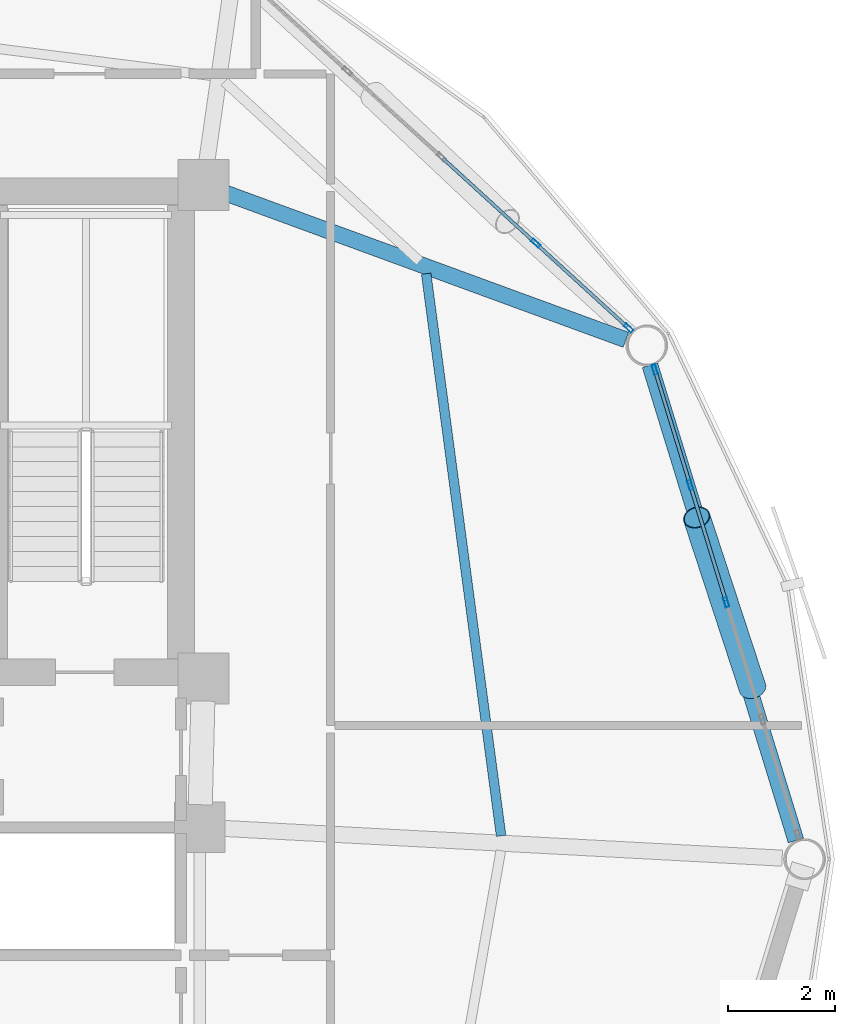
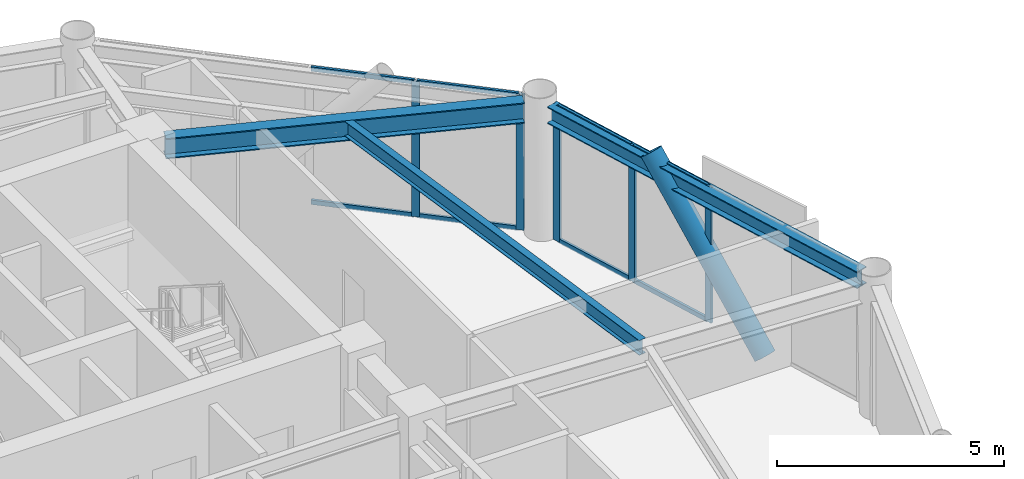
# One storey, part 14 of 25: 14 members, 3 beams, 2 elements without a shape of their own.
"""IFC4 building model written with IfcOpenShell, lengths in metres."""

import ifcopenshell
import ifcopenshell.guid

model = None  # the IFC model being written
_history = None  # IfcOwnerHistory: only IFC2X3 demands one
_inside = {}  # id of a spatial element -> (the spatial element, [elements in it])
_under = {}  # id of a project, library or spatial element -> (it, [spatial elements below it])
_declared = {}  # id of a project -> (the project, [libraries it declares])
_typed = {}  # id of a type object -> (the type object, [elements of that type])
_made_of = {}  # id of a material, layer set ... -> (it, [elements and type objects made of it])


def new_model(schema):
    """Start an empty IFC model of exactly this schema.

    Asked for "IFC4X3", IfcOpenShell would pick the latest addendum, in which some entities
    have other attributes; the version numbers below select the first issue.
    IFC2X3 requires an IfcOwnerHistory on every rooted entity: one is made here for all.
    """
    global model, _history
    if schema == "IFC4X3":
        model = ifcopenshell.file(schema_version=(4, 3, 0, 0))
    else:
        model = ifcopenshell.file(schema=schema)
    _inside.clear()
    _under.clear()
    _declared.clear()
    _typed.clear()
    _made_of.clear()
    _history = None
    if model.schema == "IFC2X3":
        org = make("IfcOrganization", Name="unknown")
        user = make(
            "IfcPersonAndOrganization",
            ThePerson=make("IfcPerson", FamilyName="unknown"),
            TheOrganization=org,
        )
        app = make(
            "IfcApplication",
            ApplicationDeveloper=org,
            Version="unknown",
            ApplicationFullName="unknown",
            ApplicationIdentifier="unknown",
        )
        _history = make(
            "IfcOwnerHistory",
            OwningUser=user,
            OwningApplication=app,
            ChangeAction="ADDED",
            CreationDate=0,
        )
    return model


def make(cls, **values):
    """One entity of the class cls with the attributes given. An attribute that is None is left unset."""
    return model.create_entity(
        cls, **{name: value for name, value in values.items() if value is not None}
    )


def rooted(cls, **values):
    """An entity with a GlobalId (a new one), such as an element, a storey or a relation."""
    return make(cls, GlobalId=ifcopenshell.guid.new(), OwnerHistory=_history, **values)


def si_unit(unit_type, name, prefix=None):
    """IfcSIUnit, for example si_unit("LENGTHUNIT", "METRE", prefix="MILLI")."""
    return make("IfcSIUnit", UnitType=unit_type, Prefix=prefix, Name=name)


def assignment(units):
    """IfcUnitAssignment: the units of a project."""
    return None if units is None else make("IfcUnitAssignment", Units=units)


def point(xyz):
    """IfcCartesianPoint."""
    return None if xyz is None else make("IfcCartesianPoint", Coordinates=xyz)


def direction(xyz):
    """IfcDirection."""
    return None if xyz is None else make("IfcDirection", DirectionRatios=xyz)


def frame(location, z_axis=None, x_axis=None):
    """IfcAxis2Placement3D, a coordinate frame: its origin and axes. An axis left out is left unset."""
    return make(
        "IfcAxis2Placement3D",
        Location=point(location),
        Axis=direction(z_axis),
        RefDirection=direction(x_axis),
    )


def frame_2d(location, x_axis=None):
    """IfcAxis2Placement2D, a coordinate frame in the plane: its origin and x axis."""
    return make(
        "IfcAxis2Placement2D", Location=point(location), RefDirection=direction(x_axis)
    )


def origin():
    """The frame at (0, 0, 0) with its axes left unset."""
    return frame((0.0, 0.0, 0.0))


def origin_2d():
    """The frame at (0, 0) in the plane with its x axis left unset."""
    return frame_2d((0.0, 0.0))


def place(relative_to, where):
    """IfcLocalPlacement: puts the frame where relative to a parent placement (None: the world)."""
    return make(
        "IfcLocalPlacement", PlacementRelTo=relative_to, RelativePlacement=where
    )


def context(
    kind, dimensions, precision=None, world=None, true_north=None, identifier=None
):
    """IfcGeometricRepresentationContext, for example the 3D "Model" context."""
    return make(
        "IfcGeometricRepresentationContext",
        ContextIdentifier=identifier,
        ContextType=kind,
        CoordinateSpaceDimension=dimensions,
        Precision=precision,
        WorldCoordinateSystem=world,
        TrueNorth=true_north,
    )


def subcontext(parent, identifier, kind, view, scale=None):
    """IfcGeometricRepresentationSubContext, for example "Body" below "Model"."""
    return make(
        "IfcGeometricRepresentationSubContext",
        ContextIdentifier=identifier,
        ContextType=kind,
        ParentContext=parent,
        TargetScale=scale,
        TargetView=view,
    )


def project(units=None, contexts=None):
    """IfcProject with its units and contexts."""
    return rooted(
        "IfcProject",
        Name="project",
        RepresentationContexts=contexts,
        UnitsInContext=assignment(units),
    )


def spatial(cls, under=None, at=None, **own):
    """A site, building, storey or space (cls), placed at a placement, below another one or the project."""
    s = rooted(cls, ObjectPlacement=at, **own)
    if under is not None:
        _under.setdefault(under.id(), (under, []))[1].append(s)
    return s


def profile(cls, at=None, kind="AREA", **sizes):
    """A parametric profile (cls). Its sizes go by their IFC names, for example OverallWidth=200.0."""
    return make(cls, ProfileType=kind, Position=at, **sizes)


def hollow_rectangle(**sizes):
    """IfcRectangleHollowProfileDef."""
    return profile("IfcRectangleHollowProfileDef", **sizes)


def hollow_circle(**sizes):
    """IfcCircleHollowProfileDef."""
    return profile("IfcCircleHollowProfileDef", **sizes)


def i_section(**sizes):
    """IfcIShapeProfileDef."""
    return profile("IfcIShapeProfileDef", **sizes)


def extrude(swept, where, along, depth):
    """IfcExtrudedAreaSolid: the profile swept, set in the frame where, extruded along a direction by depth."""
    return make(
        "IfcExtrudedAreaSolid",
        SweptArea=swept,
        Position=where,
        ExtrudedDirection=direction(along),
        Depth=depth,
    )


def shape(context_of_items, identifier, shape_type, items):
    """IfcShapeRepresentation: the items that make up one representation, for example the "Body"."""
    return make(
        "IfcShapeRepresentation",
        ContextOfItems=context_of_items,
        RepresentationIdentifier=identifier,
        RepresentationType=shape_type,
        Items=items,
    )


def material(Name=None, Category=None):
    """IfcMaterial."""
    return make("IfcMaterial", Name=Name, Category=Category)


def layer(
    of_material, thickness, ventilated=None, Name=None, Category=None, Priority=None
):
    """IfcMaterialLayer: one layer of a wall or slab, of a material (None: an air gap)."""
    return make(
        "IfcMaterialLayer",
        Material=of_material,
        LayerThickness=thickness,
        IsVentilated=ventilated,
        Name=Name,
        Category=Category,
        Priority=Priority,
    )


def layer_set(layers, Name=None):
    """IfcMaterialLayerSet."""
    return make("IfcMaterialLayerSet", MaterialLayers=layers, LayerSetName=Name)


def material_profile(
    of_material, cross_section, Name=None, Category=None, Priority=None
):
    """IfcMaterialProfile: a cross section and its material."""
    return make(
        "IfcMaterialProfile",
        Name=Name,
        Material=of_material,
        Profile=cross_section,
        Priority=Priority,
        Category=Category,
    )


def profile_set(profiles, Name=None, composite=None):
    """IfcMaterialProfileSet."""
    return make(
        "IfcMaterialProfileSet",
        Name=Name,
        MaterialProfiles=profiles,
        CompositeProfile=composite,
    )


def made_of(thing, what):
    """Note that an element or type object is made of a material, layer set ...; save() writes the relation."""
    if what is not None:
        _made_of.setdefault(what.id(), (what, []))[1].append(thing)
    return thing


def type_object(cls, material=None, **own):
    """A type object (cls), such as IfcWallType, which elements share."""
    return made_of(rooted(cls, **own), material)


def element(
    cls,
    number,
    at=None,
    inside=None,
    cuts=None,
    type_object=None,
    material=None,
    context=None,
    identifier="Body",
    shape_type=None,
    held_by="IfcProductDefinitionShape",
    body=None,
    shapes=None,
    **own,
):
    """One element of the class cls, such as IfcWall. Its Tag is "e" and its number.

    at: its placement. inside: the storey or other place that contains it. cuts: it is an
    opening in that element (IfcRelVoidsElement). A single representation is given by context,
    identifier, shape_type and body (its items); several are given by shapes. held_by: the class
    of the entity that holds the representations. save() writes the other relations.
    """
    e = rooted(cls, Tag="e%d" % number, ObjectPlacement=at, **own)
    if body is not None:
        shapes = [shape(context, identifier, shape_type, body)]
    if shapes is not None:
        e.Representation = make(held_by, Representations=shapes)
    if inside is not None:
        _inside.setdefault(inside.id(), (inside, []))[1].append(e)
    if cuts is not None:
        rooted(
            "IfcRelVoidsElement", RelatingBuildingElement=cuts, RelatedOpeningElement=e
        )
    if type_object is not None:
        _typed.setdefault(type_object.id(), (type_object, []))[1].append(e)
    return made_of(e, material)


def aggregate(whole, parts):
    """IfcRelAggregates: a whole, such as a stair, and the parts it consists of."""
    return rooted("IfcRelAggregates", RelatingObject=whole, RelatedObjects=parts)


def save(model, path):
    """Write the relations noted so far, then the file.

    IfcRelAggregates (storeys below a building ...), IfcRelContainedInSpatialStructure (elements
    in a storey), IfcRelDefinesByType, IfcRelAssociatesMaterial and IfcRelDeclares: one each for
    every whole, place, type object, material and project.
    """
    for whole, parts in _under.values():
        aggregate(whole, parts)
    for where, things in _inside.values():
        rooted(
            "IfcRelContainedInSpatialStructure",
            RelatedElements=things,
            RelatingStructure=where,
        )
    for kind, things in _typed.values():
        rooted("IfcRelDefinesByType", RelatedObjects=things, RelatingType=kind)
    for what, things in _made_of.values():
        rooted("IfcRelAssociatesMaterial", RelatedObjects=things, RelatingMaterial=what)
    for by, libraries in _declared.values():
        rooted("IfcRelDeclares", RelatingContext=by, RelatedDefinitions=libraries)
    model.write(path)


model = new_model("IFC4")

# Units and contexts
model_context = context("Model", 3, precision=1e-05, world=origin(), true_north=direction((0.0, 1.0)))
body_context = subcontext(model_context, "Body", "Model", "MODEL_VIEW")
ifc_project = project(units=[si_unit("LENGTHUNIT", "METRE"), si_unit("AREAUNIT", "SQUARE_METRE"), si_unit("VOLUMEUNIT", "CUBIC_METRE"), si_unit("PLANEANGLEUNIT", "RADIAN"), si_unit("MASSUNIT", "GRAM", prefix="KILO")], contexts=[model_context])

# Site, building, storey
site_placement = place(None, origin())
site = spatial("IfcSite", under=ifc_project, at=site_placement, CompositionType="ELEMENT")
building_placement = place(site_placement, origin())
building = spatial("IfcBuilding", under=site, at=building_placement, Name="Varnakorn Sky Granary", CompositionType="ELEMENT")
storey_placement = place(building_placement, frame((0.0, 0.0, 126.60009765625)))
storey = spatial("IfcBuildingStorey", under=building, at=storey_placement, Name="L31", CompositionType="ELEMENT", Elevation=126.60009765625)

# Beams
ifc_material_1 = material(Name="Steel S355JR", Category="steel")
ifc_material_profile_1 = material_profile(ifc_material_1, i_section(OverallWidth=0.300048828125, OverallDepth=0.550048828125, WebThickness=0.014892578125, FlangeThickness=0.029052734375, at=origin_2d()), Name="HE 550 B")
ifc_profile_set_1 = profile_set([ifc_material_profile_1], Name="Steel S355JR")
beam_type_1 = type_object("IfcBeamType", Name="BM-RAD-Z3", PredefinedType="BEAM", material=ifc_profile_set_1)
beam_1_placement = place(storey_placement, frame((8.814208984375, 12.475341796875, 3.364990234375), z_axis=(0.938913782901, -0.344152449182, 0.0), x_axis=(0.344152449182, 0.938913782901, 0.0)))
element("IfcBeam", 1, at=beam_1_placement, inside=storey, type_object=beam_type_1, Name="Radial Floor Girder RG02 L31", PredefinedType="BEAM", context=body_context, shape_type="SweptSolid", body=[
    extrude(i_section(OverallWidth=0.300048828125, OverallDepth=0.550048828125, WebThickness=0.014892578125, FlangeThickness=0.029052734375, at=origin_2d()), origin(), (0.0, 0.0, 1.0), 8.001953125),
])
ifc_material_profile_2 = material_profile(ifc_material_1, i_section(OverallWidth=0.179931640625, OverallDepth=0.39990234375, WebThickness=0.008544921875, FlangeThickness=0.013427734375, at=origin_2d()), Name="IPE 400")
ifc_profile_set_2 = profile_set([ifc_material_profile_2], Name="Steel S355JR")
beam_type_2 = type_object("IfcBeamType", Name="BM-SEC-Z3", PredefinedType="BEAM", material=ifc_profile_set_2)
beam_2_placement = place(storey_placement, frame((13.991943359375, 0.4375, 3.43994140625), z_axis=(-0.13212907091, 0.991232519957, 0.0), x_axis=(-0.991232519957, -0.13212907091, 0.0)))
element("IfcBeam", 2, at=beam_2_placement, inside=storey, type_object=beam_type_2, Name="Secondary Floor Chord Beam MSB01 L31", PredefinedType="BEAM", context=body_context, shape_type="SweptSolid", body=[
    extrude(i_section(OverallWidth=0.179931640625, OverallDepth=0.39990234375, WebThickness=0.008544921875, FlangeThickness=0.013427734375, at=origin_2d()), origin(), (0.0, 0.0, 1.0), 10.615234375),
])
ifc_material_profile_3 = material_profile(ifc_material_1, i_section(OverallWidth=0.300048828125, OverallDepth=0.449951171875, WebThickness=0.013916015625, FlangeThickness=0.02587890625, at=origin_2d()), Name="HE 450 B")
ifc_profile_set_3 = profile_set([ifc_material_profile_3], Name="Steel S355JR")
beam_type_3 = type_object("IfcBeamType", Name="BM-SPD-Z3", PredefinedType="SPANDREL", material=ifc_profile_set_3)
beam_3_placement = place(storey_placement, frame((19.509521484375, 0.349853515625, 3.414794921875), z_axis=(-0.293501370749, 0.955958652541, 0.0), x_axis=(-0.955958652541, -0.293501370749, 0.0)))
element("IfcBeam", 3, at=beam_3_placement, inside=storey, type_object=beam_type_3, Name="Perimeter Spandrel Ring Beam RB01 L31", PredefinedType="SPANDREL", context=body_context, shape_type="SweptSolid", body=[
    extrude(i_section(OverallWidth=0.300048828125, OverallDepth=0.449951171875, WebThickness=0.013916015625, FlangeThickness=0.02587890625, at=origin_2d()), origin(), (0.0, 0.0, 1.0), 9.3056640625),
])

# Curtain wall, members
ifc_material_2 = material(Name="Anodised Bronze Aluminium Alloy 6063-T6", Category="aluminium")
ifc_layer = layer(ifc_material_2, 0.179931640625, Name="Anodised Bronze Aluminium Alloy 6063-T6")
ifc_layer_set = layer_set([ifc_layer], Name="Anodised Bronze Aluminium Alloy 6063-T6")
curtain_wall_type = type_object("IfcCurtainWallType", Name="CW-FRM-2", PredefinedType="USERDEFINED", material=ifc_layer_set)
curtain_wall_1_placement = place(storey_placement, origin())
curtain_wall_1 = element("IfcCurtainWall", 4, at=curtain_wall_1_placement, inside=storey, type_object=curtain_wall_type, Name="Unitised Curtain Wall CW4 CW-L31-B01", ObjectType="CURTAIN WALL", PredefinedType="USERDEFINED")
ifc_material_profile_4 = material_profile(ifc_material_2, hollow_rectangle(XDim=0.070068359375, YDim=0.18505859375, WallThickness=0.00390625, at=origin_2d()), Name="ALU MULL 70x185")
ifc_profile_set_4 = profile_set([ifc_material_profile_4], Name="Anodised Bronze Aluminium Alloy 6063-T6")
member_type_1 = type_object("IfcMemberType", Name="CW-FRM-2-MULL", PredefinedType="MULLION", material=ifc_profile_set_4)
member_1_placement = place(storey_placement, frame((16.867919921875, 9.16455078125, 0.0), z_axis=(0.0, 0.0, 1.0), x_axis=(0.955916673226, 0.293638066074, 0.0)))
member_1 = element("IfcMember", 5, at=member_1_placement, type_object=member_type_1, Name="CW4 mullion 1", PredefinedType="MULLION", context=body_context, shape_type="SweptSolid", body=[
    extrude(hollow_rectangle(XDim=0.070068359375, YDim=0.18505859375, WallThickness=0.00390625, at=origin_2d()), origin(), (0.0, 0.0, 1.0), 3.639892578125),
])
member_2_placement = place(storey_placement, frame((17.531494140625, 7.00390625, 0.0), z_axis=(0.0, 0.0, 1.0), x_axis=(0.955916673226, 0.293638066074, 0.0)))
member_2 = element("IfcMember", 6, at=member_2_placement, type_object=member_type_1, Name="CW4 mullion 2", PredefinedType="MULLION", context=body_context, shape_type="SweptSolid", body=[
    extrude(hollow_rectangle(XDim=0.070068359375, YDim=0.18505859375, WallThickness=0.00390625, at=origin_2d()), origin(), (0.0, 0.0, 1.0), 3.639892578125),
])
member_3_placement = place(storey_placement, frame((18.20556640625, 4.809814453125, 0.0), z_axis=(0.0, 0.0, 1.0), x_axis=(0.955916673226, 0.293638066074, 0.0)))
member_3 = element("IfcMember", 7, at=member_3_placement, type_object=member_type_1, Name="CW4 mullion 3", PredefinedType="MULLION", context=body_context, shape_type="SweptSolid", body=[
    extrude(hollow_rectangle(XDim=0.070068359375, YDim=0.18505859375, WallThickness=0.00390625, at=origin_2d()), origin(), (0.0, 0.0, 1.0), 3.639892578125),
])

curtain_wall_2_placement = place(storey_placement, origin())
curtain_wall_2 = element("IfcCurtainWall", 8, at=curtain_wall_2_placement, inside=storey, type_object=curtain_wall_type, Name="Unitised Curtain Wall CW4 CW-L31-B02", ObjectType="CURTAIN WALL", PredefinedType="USERDEFINED")
member_4_placement = place(storey_placement, frame((14.639404296875, 11.52880859375, 0.0), z_axis=(0.0, 0.0, 1.0), x_axis=(0.674680923597, 0.738109511749, 0.0)))
member_4 = element("IfcMember", 9, at=member_4_placement, type_object=member_type_1, Name="CW4 mullion 4", PredefinedType="MULLION", context=body_context, shape_type="SweptSolid", body=[
    extrude(hollow_rectangle(XDim=0.070068359375, YDim=0.18505859375, WallThickness=0.00390625, at=origin_2d()), origin(), (0.0, 0.0, 1.0), 3.639892578125),
])
member_5_placement = place(storey_placement, frame((16.376708984375, 9.940673828125, 0.0), z_axis=(0.0, 0.0, 1.0), x_axis=(0.674680923597, 0.738109511749, 0.0)))
member_5 = element("IfcMember", 10, at=member_5_placement, type_object=member_type_1, Name="CW4 mullion 5", PredefinedType="MULLION", context=body_context, shape_type="SweptSolid", body=[
    extrude(hollow_rectangle(XDim=0.070068359375, YDim=0.18505859375, WallThickness=0.00390625, at=origin_2d()), origin(), (0.0, 0.0, 1.0), 3.639892578125),
])

# Member
ifc_material_profile_5 = material_profile(ifc_material_2, hollow_rectangle(XDim=0.06494140625, YDim=0.1201171875, WallThickness=0.00341796875, at=origin_2d()), Name="ALU TRAN 65x120")
ifc_profile_set_5 = profile_set([ifc_material_profile_5], Name="Anodised Bronze Aluminium Alloy 6063-T6")
member_type_2 = type_object("IfcMemberType", Name="CW-FRM-2-TRAN", PredefinedType="USERDEFINED", material=ifc_profile_set_5)
member_6_placement = place(storey_placement, frame((16.878173828125, 9.131103515625, 0.032470703125), z_axis=(0.293600182714, -0.955928309399, 0.0), x_axis=(0.955928309399, 0.293600182714, 0.0)))
member_6 = element("IfcMember", 11, at=member_6_placement, type_object=member_type_2, Name="CW4 transom 1.1", ObjectType="TRANSOM", PredefinedType="USERDEFINED", context=body_context, shape_type="SweptSolid", body=[
    extrude(hollow_rectangle(XDim=0.06494140625, YDim=0.1201171875, WallThickness=0.00341796875, at=origin_2d()), origin(), (0.0, 0.0, 1.0), 2.190185546875),
])

member_7_placement = place(storey_placement, frame((16.878173828125, 9.131103515625, 3.607421875), z_axis=(0.293600182714, -0.955928309399, 0.0), x_axis=(0.955928309399, 0.293600182714, 0.0)))
member_7 = element("IfcMember", 12, at=member_7_placement, type_object=member_type_2, Name="CW4 transom 1.2", ObjectType="TRANSOM", PredefinedType="USERDEFINED", context=body_context, shape_type="SweptSolid", body=[
    extrude(hollow_rectangle(XDim=0.06494140625, YDim=0.1201171875, WallThickness=0.00341796875, at=origin_2d()), origin(), (0.0, 0.0, 1.0), 2.190185546875),
])

member_8_placement = place(storey_placement, frame((17.541748046875, 6.970458984375, 0.032470703125), z_axis=(0.293692648403, -0.955899904945, 0.0), x_axis=(0.955899904945, 0.293692648403, 0.0)))
member_8 = element("IfcMember", 13, at=member_8_placement, type_object=member_type_2, Name="CW4 transom 2.1", ObjectType="TRANSOM", PredefinedType="USERDEFINED", context=body_context, shape_type="SweptSolid", body=[
    extrude(hollow_rectangle(XDim=0.06494140625, YDim=0.1201171875, WallThickness=0.00341796875, at=origin_2d()), origin(), (0.0, 0.0, 1.0), 2.225341796875),
])

member_9_placement = place(storey_placement, frame((17.541748046875, 6.970458984375, 3.607421875), z_axis=(0.293692648403, -0.955899904945, 0.0), x_axis=(0.955899904945, 0.293692648403, 0.0)))
member_9 = element("IfcMember", 14, at=member_9_placement, type_object=member_type_2, Name="CW4 transom 2.2", ObjectType="TRANSOM", PredefinedType="USERDEFINED", context=body_context, shape_type="SweptSolid", body=[
    extrude(hollow_rectangle(XDim=0.06494140625, YDim=0.1201171875, WallThickness=0.00341796875, at=origin_2d()), origin(), (0.0, 0.0, 1.0), 2.225341796875),
])

aggregate(curtain_wall_1, [member_1, member_2, member_3, member_6, member_7, member_8, member_9])

member_10_placement = place(storey_placement, frame((12.90185546875, 13.116943359375, 0.032470703125), z_axis=(0.73808423228, -0.674708578617, 0.0), x_axis=(0.674708578617, 0.73808423228, 0.0)))
member_10 = element("IfcMember", 15, at=member_10_placement, type_object=member_type_2, Name="CW4 transom 3.1", ObjectType="TRANSOM", PredefinedType="USERDEFINED", context=body_context, shape_type="SweptSolid", body=[
    extrude(hollow_rectangle(XDim=0.06494140625, YDim=0.1201171875, WallThickness=0.00341796875, at=origin_2d()), origin(), (0.0, 0.0, 1.0), 2.319091796875),
])

member_11_placement = place(storey_placement, frame((12.90185546875, 13.116943359375, 3.607421875), z_axis=(0.73808423228, -0.674708578617, 0.0), x_axis=(0.674708578617, 0.73808423228, 0.0)))
member_11 = element("IfcMember", 16, at=member_11_placement, type_object=member_type_2, Name="CW4 transom 3.2", ObjectType="TRANSOM", PredefinedType="USERDEFINED", context=body_context, shape_type="SweptSolid", body=[
    extrude(hollow_rectangle(XDim=0.06494140625, YDim=0.1201171875, WallThickness=0.00341796875, at=origin_2d()), origin(), (0.0, 0.0, 1.0), 2.319091796875),
])

member_12_placement = place(storey_placement, frame((14.6650390625, 11.505126953125, 0.032470703125), z_axis=(0.738089645744, -0.674702656616, 0.0), x_axis=(0.674702656616, 0.738089645744, 0.0)))
member_12 = element("IfcMember", 17, at=member_12_placement, type_object=member_type_2, Name="CW4 transom 4.1", ObjectType="TRANSOM", PredefinedType="USERDEFINED", context=body_context, shape_type="SweptSolid", body=[
    extrude(hollow_rectangle(XDim=0.06494140625, YDim=0.1201171875, WallThickness=0.00341796875, at=origin_2d()), origin(), (0.0, 0.0, 1.0), 2.283935546875),
])

member_13_placement = place(storey_placement, frame((14.6650390625, 11.505126953125, 3.607421875), z_axis=(0.738089645744, -0.674702656616, 0.0), x_axis=(0.674702656616, 0.738089645744, 0.0)))
member_13 = element("IfcMember", 18, at=member_13_placement, type_object=member_type_2, Name="CW4 transom 4.2", ObjectType="TRANSOM", PredefinedType="USERDEFINED", context=body_context, shape_type="SweptSolid", body=[
    extrude(hollow_rectangle(XDim=0.06494140625, YDim=0.1201171875, WallThickness=0.00341796875, at=origin_2d()), origin(), (0.0, 0.0, 1.0), 2.283935546875),
])

aggregate(curtain_wall_2, [member_4, member_5, member_10, member_11, member_12, member_13])

ifc_material_3 = material(Name="Steel S460M", Category="steel")
ifc_material_profile_6 = material_profile(ifc_material_3, hollow_circle(Radius=0.25390625, WallThickness=0.01806640625, at=origin_2d()), Name="CHS 508x18")
ifc_profile_set_6 = profile_set([ifc_material_profile_6], Name="Steel S460M")
member_type_3 = type_object("IfcMemberType", Name="MB-DIAG-T2", PredefinedType="BRACE", material=ifc_profile_set_6)
member_14_placement = place(storey_placement, frame((18.697998046875, 3.20654296875, -0.130126953125), z_axis=(-0.202508200992, 0.618167991256, 0.759512187603), x_axis=(-0.950306802249, -0.31131492351, 0.0)))
element("IfcMember", 19, at=member_14_placement, inside=storey, type_object=member_type_3, Name="Perimeter CHS Diagrid Brace DG01 L31", PredefinedType="BRACE", context=body_context, shape_type="SweptSolid", body=[
    extrude(hollow_circle(Radius=0.25390625, WallThickness=0.01806640625, at=origin_2d()), origin(), (0.0, 0.0, 1.0), 5.1611328125),
])

save(model, "model.ifc")
